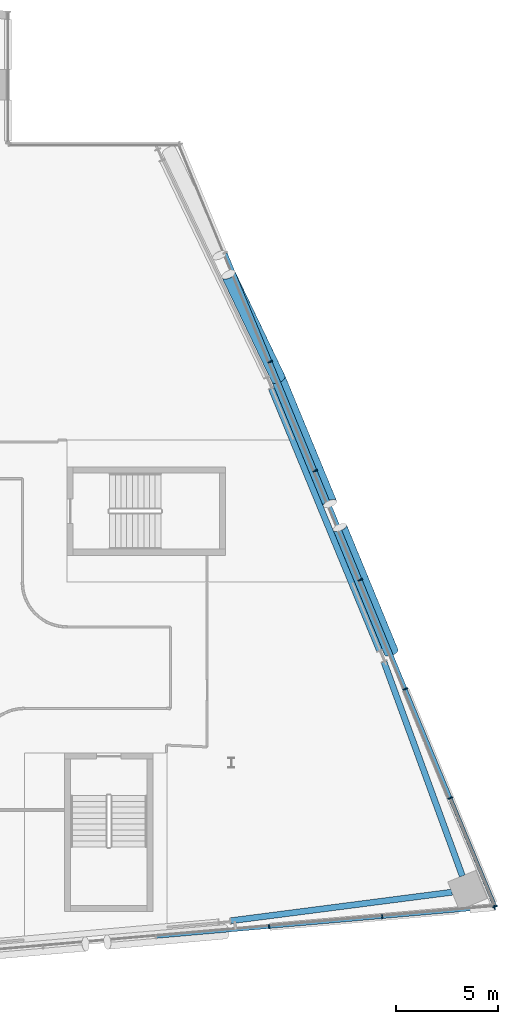
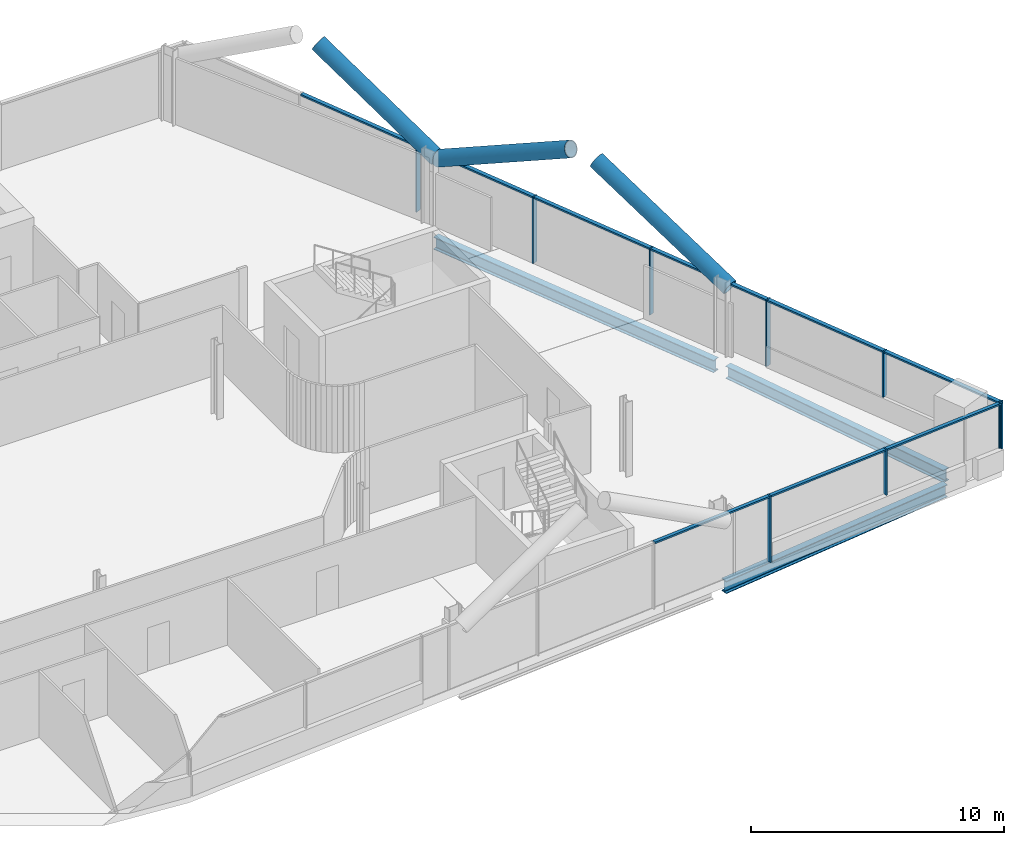
# One storey, part 11 of 29: 21 members, 3 beams, 2 elements without a shape of their own.
"""IFC4 building model written with IfcOpenShell, lengths in metres."""

from ifc_helpers import new_model, si_unit, direction, frame, origin, origin_2d, place, context, subcontext, project, spatial, rectangle, hollow_circle, i_section, extrude, material, material_profile, profile_set, type_object, element, aggregate, save


model = new_model("IFC4")

# Units and contexts
model_context = context("Model", 3, precision=1e-05, world=origin(), true_north=direction((0.0, 1.0)))
body_context = subcontext(model_context, "Body", "Model", "MODEL_VIEW")
ifc_project = project(units=[si_unit("LENGTHUNIT", "METRE"), si_unit("AREAUNIT", "SQUARE_METRE"), si_unit("VOLUMEUNIT", "CUBIC_METRE"), si_unit("PLANEANGLEUNIT", "RADIAN"), si_unit("MASSUNIT", "GRAM", prefix="KILO")], contexts=[model_context])

# Site, building, storey
site_placement = place(None, origin())
site = spatial("IfcSite", under=ifc_project, at=site_placement, CompositionType="ELEMENT")
building_placement = place(site_placement, origin())
building = spatial("IfcBuilding", under=site, at=building_placement, Name="Wharfspan Tower", CompositionType="ELEMENT")
storey_placement = place(building_placement, frame((0.0, 0.0, 155.5)))
storey = spatial("IfcBuildingStorey", under=building, at=storey_placement, Name="L37", CompositionType="ELEMENT", Elevation=155.5)

# Beams
ifc_material_1 = material(Name="Steel S355J2", Category="steel")
ifc_material_profile_1 = material_profile(ifc_material_1, i_section(OverallWidth=0.300049, OverallDepth=0.600098, WebThickness=0.015381, FlangeThickness=0.030029, FilletRadius=0.0271, at=origin_2d()))
ifc_profile_set_1 = profile_set([ifc_material_profile_1], Name="Steel S355J2")
beam_type = type_object("IfcBeamType", Name="Edge beam HEB 600", PredefinedType="SPANDREL", material=ifc_profile_set_1)
beam_1_placement = place(storey_placement, frame((71.965576, 3.724121, -0.699951), z_axis=(0.991764, 0.128077, 0.0), x_axis=(-0.128077, 0.991764, 0.0)))
element("IfcBeam", 1, at=beam_1_placement, inside=storey, type_object=beam_type, Name="Edge beam S2 L37 PS2.2 to MC4", PredefinedType="SPANDREL", context=body_context, shape_type="SweptSolid", body=[
    extrude(i_section(OverallWidth=0.300049, OverallDepth=0.600098, WebThickness=0.015381, FlangeThickness=0.030029, FilletRadius=0.0271, at=origin_2d()), origin(), (0.0, 0.0, 1.0), 10.991211),
])
beam_2_placement = place(storey_placement, frame((83.375732, 5.931885, -0.699951), z_axis=(-0.343871, 0.939017, 0.0), x_axis=(-0.939017, -0.343871, 0.0)))
element("IfcBeam", 2, at=beam_2_placement, inside=storey, type_object=beam_type, Name="Edge beam E L37 MC4 to PE.1", PredefinedType="SPANDREL", context=body_context, shape_type="SweptSolid", body=[
    extrude(i_section(OverallWidth=0.300049, OverallDepth=0.600098, WebThickness=0.015381, FlangeThickness=0.030029, FilletRadius=0.0271, at=origin_2d()), origin(), (0.0, 0.0, 1.0), 11.226807),
])
beam_3_placement = place(storey_placement, frame((79.292969, 17.044434, -0.699951), z_axis=(-0.381593, 0.92433, 0.0), x_axis=(-0.92433, -0.381593, 0.0)))
element("IfcBeam", 3, at=beam_3_placement, inside=storey, type_object=beam_type, Name="Edge beam E L37 PE.1 to PE.2", PredefinedType="SPANDREL", context=body_context, shape_type="SweptSolid", body=[
    extrude(i_section(OverallWidth=0.300049, OverallDepth=0.600098, WebThickness=0.015381, FlangeThickness=0.030029, FilletRadius=0.0271, at=origin_2d()), origin(), (0.0, 0.0, 1.0), 13.94751),
])

# Curtain wall, members
ifc_material_2 = material(Name="Aluminium 6063-T6", Category="aluminium")
curtain_wall_type_1 = type_object("IfcCurtainWallType", Name="CURTAIN WALL FACETED FRONT", PredefinedType="NOTDEFINED", material=ifc_material_2)
curtain_wall_1_placement = place(storey_placement, origin())
curtain_wall_1 = element("IfcCurtainWall", 4, at=curtain_wall_1_placement, inside=storey, type_object=curtain_wall_type_1, Name="Curtain wall S2", PredefinedType="NOTDEFINED")
ifc_material_profile_2 = material_profile(ifc_material_2, rectangle(XDim=0.199951, YDim=0.060059, at=origin_2d()))
ifc_profile_set_2 = profile_set([ifc_material_profile_2], Name="Aluminium 6063-T6")
member_type_1 = type_object("IfcMemberType", Name="MULLION FACETED FRONT 60x200", PredefinedType="MULLION", material=ifc_profile_set_2)
member_1_placement = place(storey_placement, frame((73.857178, 3.425049, 0.0), z_axis=(0.0, 0.0, 1.0), x_axis=(-0.087156, 0.996198, 0.0)))
member_1 = element("IfcMember", 5, at=member_1_placement, type_object=member_type_1, Name="Curtain wall S2 mullion 6", PredefinedType="MULLION", context=body_context, shape_type="SweptSolid", body=[
    extrude(rectangle(XDim=0.199951, YDim=0.060059, at=origin_2d()), origin(), (0.0, 0.0, 1.0), 3.199951),
])
member_2_placement = place(storey_placement, frame((79.428467, 3.912598, 1.0), z_axis=(0.0, 0.0, 1.0), x_axis=(-0.087156, 0.996198, 0.0)))
member_2 = element("IfcMember", 6, at=member_2_placement, type_object=member_type_1, Name="Curtain wall S2 mullion 7", PredefinedType="MULLION", context=body_context, shape_type="SweptSolid", body=[
    extrude(rectangle(XDim=0.199951, YDim=0.060059, at=origin_2d()), origin(), (0.0, 0.0, 1.0), 2.199951),
])
member_3_placement = place(storey_placement, frame((84.970215, 4.397461, 1.0), z_axis=(0.0, 0.0, 1.0), x_axis=(-0.087156, 0.996198, 0.0)))
member_3 = element("IfcMember", 7, at=member_3_placement, type_object=member_type_1, Name="Curtain wall S2 mullion 8", PredefinedType="MULLION", context=body_context, shape_type="SweptSolid", body=[
    extrude(rectangle(XDim=0.199951, YDim=0.060059, at=origin_2d()), origin(), (0.0, 0.0, 1.0), 2.199951),
])

curtain_wall_type_2 = type_object("IfcCurtainWallType", Name="CURTAIN WALL PROW AND END", PredefinedType="NOTDEFINED", material=ifc_material_2)
curtain_wall_2_placement = place(storey_placement, origin())
curtain_wall_2 = element("IfcCurtainWall", 8, at=curtain_wall_2_placement, inside=storey, type_object=curtain_wall_type_2, Name="Curtain wall E", PredefinedType="NOTDEFINED")
ifc_material_profile_3 = material_profile(ifc_material_2, rectangle(XDim=0.23999, YDim=0.060059, at=origin_2d()))
ifc_profile_set_3 = profile_set([ifc_material_profile_3], Name="Aluminium 6063-T6")
member_type_2 = type_object("IfcMemberType", Name="MULLION PROW AND END 60x240", PredefinedType="MULLION", material=ifc_profile_set_3)
member_4_placement = place(storey_placement, frame((84.988525, 4.427734, 1.0), z_axis=(0.0, 0.0, 1.0), x_axis=(-0.924325, -0.381602, 0.0)))
member_4 = element("IfcMember", 9, at=member_4_placement, type_object=member_type_2, Name="Curtain wall E mullion 1", PredefinedType="MULLION", context=body_context, shape_type="SweptSolid", body=[
    extrude(rectangle(XDim=0.23999, YDim=0.060059, at=origin_2d()), origin(), (0.0, 0.0, 1.0), 2.199951),
])
member_5_placement = place(storey_placement, frame((82.782471, 9.771484, 1.0), z_axis=(0.0, 0.0, 1.0), x_axis=(-0.924325, -0.381602, 0.0)))
member_5 = element("IfcMember", 10, at=member_5_placement, type_object=member_type_2, Name="Curtain wall E mullion 2", PredefinedType="MULLION", context=body_context, shape_type="SweptSolid", body=[
    extrude(rectangle(XDim=0.23999, YDim=0.060059, at=origin_2d()), origin(), (0.0, 0.0, 1.0), 2.199951),
])
member_6_placement = place(storey_placement, frame((80.564941, 15.142822, 0.0), z_axis=(0.0, 0.0, 1.0), x_axis=(-0.924325, -0.381602, 0.0)))
member_6 = element("IfcMember", 11, at=member_6_placement, type_object=member_type_2, Name="Curtain wall E mullion 3", PredefinedType="MULLION", context=body_context, shape_type="SweptSolid", body=[
    extrude(rectangle(XDim=0.23999, YDim=0.060059, at=origin_2d()), origin(), (0.0, 0.0, 1.0), 3.199951),
])
member_7_placement = place(storey_placement, frame((78.347412, 20.514404, 0.0), z_axis=(0.0, 0.0, 1.0), x_axis=(-0.924325, -0.381602, 0.0)))
member_7 = element("IfcMember", 12, at=member_7_placement, type_object=member_type_2, Name="Curtain wall E mullion 4", PredefinedType="MULLION", context=body_context, shape_type="SweptSolid", body=[
    extrude(rectangle(XDim=0.23999, YDim=0.060059, at=origin_2d()), origin(), (0.0, 0.0, 1.0), 3.199951),
])
member_8_placement = place(storey_placement, frame((76.129639, 25.885742, 0.0), z_axis=(0.0, 0.0, 1.0), x_axis=(-0.924325, -0.381602, 0.0)))
member_8 = element("IfcMember", 13, at=member_8_placement, type_object=member_type_2, Name="Curtain wall E mullion 5", PredefinedType="MULLION", context=body_context, shape_type="SweptSolid", body=[
    extrude(rectangle(XDim=0.23999, YDim=0.060059, at=origin_2d()), origin(), (0.0, 0.0, 1.0), 3.199951),
])
member_9_placement = place(storey_placement, frame((73.912109, 31.25708, 0.0), z_axis=(0.0, 0.0, 1.0), x_axis=(-0.924325, -0.381602, 0.0)))
member_9 = element("IfcMember", 14, at=member_9_placement, type_object=member_type_2, Name="Curtain wall E mullion 6", PredefinedType="MULLION", context=body_context, shape_type="SweptSolid", body=[
    extrude(rectangle(XDim=0.23999, YDim=0.060059, at=origin_2d()), origin(), (0.0, 0.0, 1.0), 3.199951),
])

# Members
ifc_material_3 = material(Name="Steel S460NH", Category="steel")
ifc_material_profile_4 = material_profile(ifc_material_3, hollow_circle(Radius=0.355469, WallThickness=0.035889, at=origin_2d()))
ifc_profile_set_4 = profile_set([ifc_material_profile_4], Name="Steel S460NH")
member_type_3 = type_object("IfcMemberType", Name="Mega brace CHS 711x36", PredefinedType="BRACE", material=ifc_profile_set_4)
member_10_placement = place(storey_placement, frame((79.876465, 16.954346, 2.899902), z_axis=(-0.34204, 0.82855, 0.443298), x_axis=(-0.924336, -0.38158, -4e-06)))
element("IfcMember", 15, at=member_10_placement, inside=storey, type_object=member_type_3, Name="Mega brace E5 L38 part 1", PredefinedType="BRACE", context=body_context, shape_type="SweptSolid", body=[
    extrude(hollow_circle(Radius=0.355469, WallThickness=0.035889, at=origin_2d()), origin(), (0.0, 0.0, 1.0), 7.406982),
])
member_11_placement = place(storey_placement, frame((74.320557, 30.411865, 2.899902), z_axis=(0.342079, -0.828531, 0.443305), x_axis=(0.924316, 0.381624, -4e-06)))
element("IfcMember", 16, at=member_11_placement, inside=storey, type_object=member_type_3, Name="Mega brace E5 L38 part 3", PredefinedType="BRACE", context=body_context, shape_type="SweptSolid", body=[
    extrude(hollow_circle(Radius=0.355469, WallThickness=0.035889, at=origin_2d()), origin(), (0.0, 0.0, 1.0), 7.406738),
])
member_12_placement = place(storey_placement, frame((74.320557, 30.411865, 2.899902), z_axis=(-0.374112, 0.780716, 0.500522), x_axis=(-0.901807, -0.432139, 2e-06)))
element("IfcMember", 17, at=member_12_placement, inside=storey, type_object=member_type_3, Name="Mega brace E6 L38 part 1", PredefinedType="BRACE", context=body_context, shape_type="SweptSolid", body=[
    extrude(hollow_circle(Radius=0.355469, WallThickness=0.035889, at=origin_2d()), origin(), (0.0, 0.0, 1.0), 6.582031),
])

# Member
ifc_material_profile_5 = material_profile(ifc_material_2, rectangle(XDim=0.159912, YDim=0.080078, at=origin_2d()))
ifc_profile_set_5 = profile_set([ifc_material_profile_5], Name="Aluminium 6063-T6")
member_type_4 = type_object("IfcMemberType", Name="TRANSOM FACETED FRONT 80x160", PredefinedType="USERDEFINED", material=ifc_profile_set_5)
member_13_placement = place(storey_placement, frame((68.315674, 2.940186, 3.159912), z_axis=(0.996191, 0.087197, 0.0), x_axis=(-0.087197, 0.996191, 0.0)))
member_13 = element("IfcMember", 18, at=member_13_placement, type_object=member_type_4, Name="Curtain wall S2 transom 5", ObjectType="TRANSOM", PredefinedType="USERDEFINED", context=body_context, shape_type="SweptSolid", body=[
    extrude(rectangle(XDim=0.159912, YDim=0.080078, at=origin_2d()), origin(), (0.0, 0.0, 1.0), 5.532471),
])

member_14_placement = place(storey_placement, frame((73.886963, 3.427734, 3.159912), z_axis=(0.996195, 0.087149, 0.0), x_axis=(-0.087149, 0.996195, 0.0)))
member_14 = element("IfcMember", 19, at=member_14_placement, type_object=member_type_4, Name="Curtain wall S2 transom 6", ObjectType="TRANSOM", PredefinedType="USERDEFINED", context=body_context, shape_type="SweptSolid", body=[
    extrude(rectangle(XDim=0.159912, YDim=0.080078, at=origin_2d()), origin(), (0.0, 0.0, 1.0), 5.532715),
])

member_15_placement = place(storey_placement, frame((79.458496, 3.915283, 3.159912), z_axis=(0.996196, 0.087139, 0.0), x_axis=(-0.087139, 0.996196, 0.0)))
member_15 = element("IfcMember", 20, at=member_15_placement, type_object=member_type_4, Name="Curtain wall S2 transom 7", ObjectType="TRANSOM", PredefinedType="USERDEFINED", context=body_context, shape_type="SweptSolid", body=[
    extrude(rectangle(XDim=0.159912, YDim=0.080078, at=origin_2d()), origin(), (0.0, 0.0, 1.0), 5.502686),
])

aggregate(curtain_wall_1, [member_1, member_2, member_3, member_13, member_14, member_15])

ifc_material_profile_6 = material_profile(ifc_material_2, rectangle(XDim=0.179932, YDim=0.080078, at=origin_2d()))
ifc_profile_set_6 = profile_set([ifc_material_profile_6], Name="Aluminium 6063-T6")
member_type_5 = type_object("IfcMemberType", Name="TRANSOM PROW AND END 80x180", PredefinedType="USERDEFINED", material=ifc_profile_set_6)
member_16_placement = place(storey_placement, frame((84.977051, 4.455566, 3.159912), z_axis=(-0.381595, 0.924329, 0.0), x_axis=(-0.924329, -0.381595, 0.0)))
member_16 = element("IfcMember", 21, at=member_16_placement, type_object=member_type_5, Name="Curtain wall E transom 1", ObjectType="TRANSOM", PredefinedType="USERDEFINED", context=body_context, shape_type="SweptSolid", body=[
    extrude(rectangle(XDim=0.179932, YDim=0.080078, at=origin_2d()), origin(), (0.0, 0.0, 1.0), 5.720947),
])

member_17_placement = place(storey_placement, frame((82.770996, 9.799072, 3.159912), z_axis=(-0.381578, 0.924337, 0.0), x_axis=(-0.924337, -0.381578, 0.0)))
member_17 = element("IfcMember", 22, at=member_17_placement, type_object=member_type_5, Name="Curtain wall E transom 2", ObjectType="TRANSOM", PredefinedType="USERDEFINED", context=body_context, shape_type="SweptSolid", body=[
    extrude(rectangle(XDim=0.179932, YDim=0.080078, at=origin_2d()), origin(), (0.0, 0.0, 1.0), 5.751221),
])

member_18_placement = place(storey_placement, frame((80.553467, 15.170654, 3.159912), z_axis=(-0.381629, 0.924315, 0.0), x_axis=(-0.924315, -0.381629, 0.0)))
member_18 = element("IfcMember", 23, at=member_18_placement, type_object=member_type_5, Name="Curtain wall E transom 3", ObjectType="TRANSOM", PredefinedType="USERDEFINED", context=body_context, shape_type="SweptSolid", body=[
    extrude(rectangle(XDim=0.179932, YDim=0.080078, at=origin_2d()), origin(), (0.0, 0.0, 1.0), 5.751221),
])

member_19_placement = place(storey_placement, frame((78.335938, 20.541992, 3.159912), z_axis=(-0.381629, 0.924315, 0.0), x_axis=(-0.924315, -0.381629, 0.0)))
member_19 = element("IfcMember", 24, at=member_19_placement, type_object=member_type_5, Name="Curtain wall E transom 4", ObjectType="TRANSOM", PredefinedType="USERDEFINED", context=body_context, shape_type="SweptSolid", body=[
    extrude(rectangle(XDim=0.179932, YDim=0.080078, at=origin_2d()), origin(), (0.0, 0.0, 1.0), 5.751221),
])

member_20_placement = place(storey_placement, frame((76.118408, 25.91333, 3.159912), z_axis=(-0.381614, 0.924322, 0.0), x_axis=(-0.924322, -0.381614, 0.0)))
member_20 = element("IfcMember", 25, at=member_20_placement, type_object=member_type_5, Name="Curtain wall E transom 5", ObjectType="TRANSOM", PredefinedType="USERDEFINED", context=body_context, shape_type="SweptSolid", body=[
    extrude(rectangle(XDim=0.179932, YDim=0.080078, at=origin_2d()), origin(), (0.0, 0.0, 1.0), 5.751465),
])

member_21_placement = place(storey_placement, frame((73.900635, 31.284912, 3.159912), z_axis=(-0.381593, 0.92433, 0.0), x_axis=(-0.92433, -0.381593, 0.0)))
member_21 = element("IfcMember", 26, at=member_21_placement, type_object=member_type_5, Name="Curtain wall E transom 6", ObjectType="TRANSOM", PredefinedType="USERDEFINED", context=body_context, shape_type="SweptSolid", body=[
    extrude(rectangle(XDim=0.179932, YDim=0.080078, at=origin_2d()), origin(), (0.0, 0.0, 1.0), 5.751221),
])

aggregate(curtain_wall_2, [member_4, member_5, member_6, member_7, member_8, member_9, member_16, member_17, member_18, member_19, member_20, member_21])

save(model, "model.ifc")
